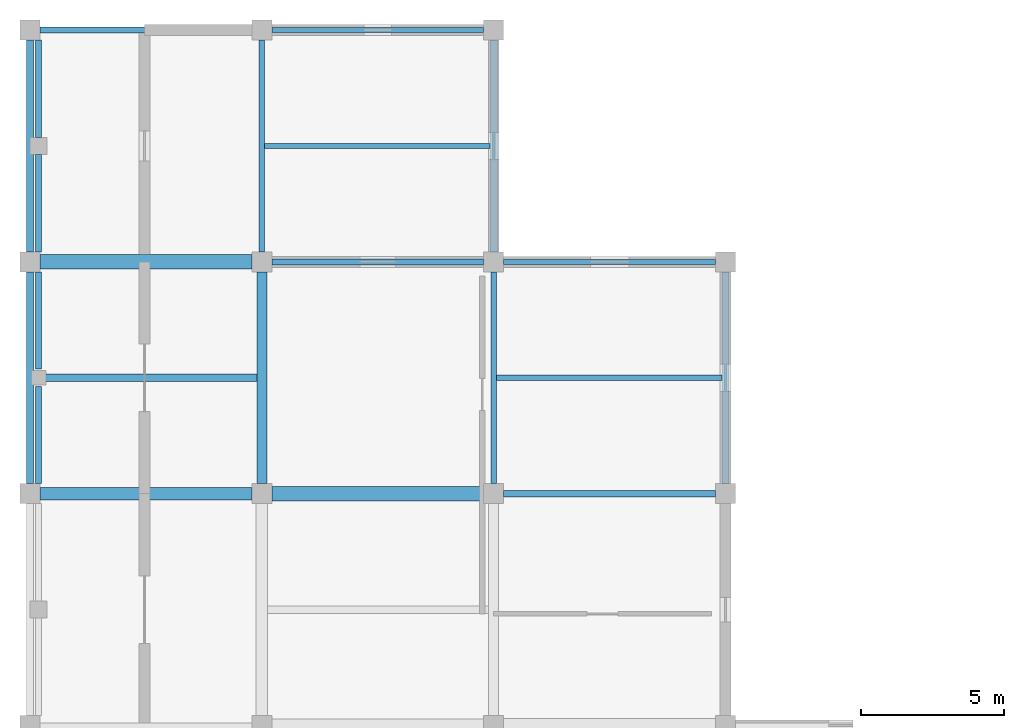
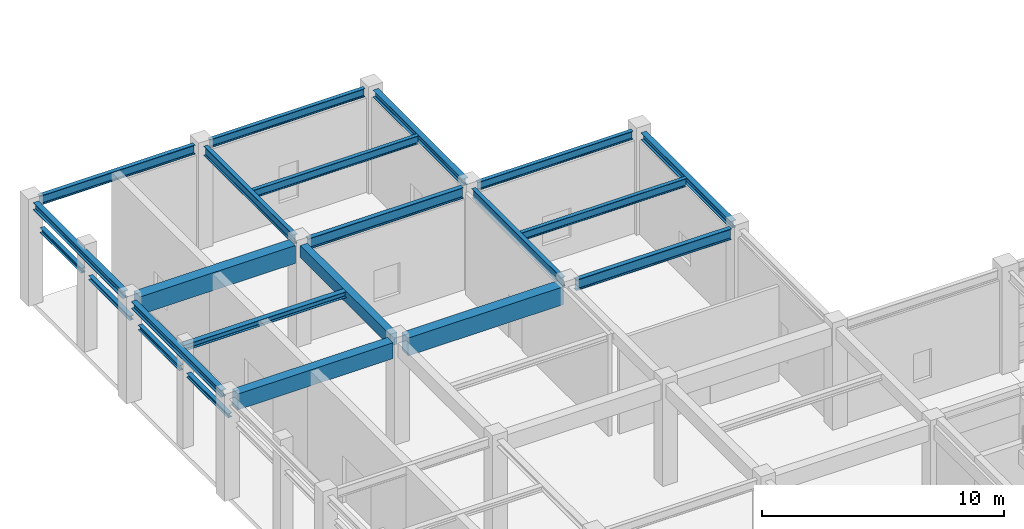
# One storey, part 20 of 52: 22 beams.
"""IFC4 building model written with IfcOpenShell, lengths in metres."""

from ifc_helpers import new_model, si_unit, direction, frame, origin, origin_2d, place, context, subcontext, project, spatial, rectangle, i_section, extrude, material, material_profile, profile_set, type_object, element, save


model = new_model("IFC4")

# Units and contexts
model_context = context("Model", 3, precision=1e-05, world=origin(), true_north=direction((0.0, 1.0)))
body_context = subcontext(model_context, "Body", "Model", "MODEL_VIEW")
ifc_project = project(units=[si_unit("LENGTHUNIT", "METRE"), si_unit("AREAUNIT", "SQUARE_METRE"), si_unit("VOLUMEUNIT", "CUBIC_METRE"), si_unit("PLANEANGLEUNIT", "RADIAN"), si_unit("MASSUNIT", "GRAM", prefix="KILO")], contexts=[model_context])

# Site, building, storey
site_placement = place(None, origin())
site = spatial("IfcSite", under=ifc_project, at=site_placement, CompositionType="ELEMENT")
building_placement = place(site_placement, origin())
building = spatial("IfcBuilding", under=site, at=building_placement, Name="Parian Resonance Hall", CompositionType="ELEMENT")
storey_placement = place(building_placement, origin())
storey = spatial("IfcBuildingStorey", under=building, at=storey_placement, Name="L00", CompositionType="ELEMENT", Elevation=0.0)

# Beams
ifc_material_1 = material(Name="Steel S355", Category="steel")
ifc_material_profile_1 = material_profile(ifc_material_1, i_section(OverallWidth=0.178955078125, OverallDepth=0.409912109375, WebThickness=0.0087890625, FlangeThickness=0.014404296875, FilletRadius=0.01513671875, at=origin_2d()), Name="W410x67")
ifc_profile_set_1 = profile_set([ifc_material_profile_1], Name="Steel S355")
beam_type_1 = type_object("IfcBeamType", Name="AL1 W410x67", PredefinedType="BEAM", material=ifc_profile_set_1)
for number, where, z_axis, x_axis, name in (
    (1, (8.197021484375, 109.35009765625, 4.965087890625), (1.0, 0.0, 0.0), (0.0, 1.0, 0.0), "JS-L00-0517"),
    (2, (16.297119140625, 101.25, 4.89501953125), (1.0, 0.0, 0.0), (0.0, 1.0, 0.0), "JS-L00-0519"),
):
    element("IfcBeam", number, at=place(storey_placement, frame(where, z_axis=z_axis, x_axis=x_axis)), inside=storey, type_object=beam_type_1, Name=name, PredefinedType="BEAM", context=body_context, shape_type="SweptSolid", body=[
        extrude(i_section(OverallWidth=0.178955078125, OverallDepth=0.409912109375, WebThickness=0.0087890625, FlangeThickness=0.014404296875, FilletRadius=0.01513671875, at=origin_2d()), origin(), (0.0, 0.0, 1.0), 7.87548828125),
    ])
ifc_material_2 = material(Name="Concrete C40/50", Category="concrete")
ifc_material_profile_2 = material_profile(ifc_material_2, rectangle(XDim=0.35009765625, YDim=0.60009765625, at=origin_2d()), Name="RC-BM-350x600")
ifc_profile_set_2 = profile_set([ifc_material_profile_2], Name="Concrete C40/50")
beam_type_2 = type_object("IfcBeamType", Name="BM-RC350x600", PredefinedType="BEAM", material=ifc_profile_set_2)
beam_1_placement = place(storey_placement, frame((8.10009765625, 97.550048828125, 4.800048828125), z_axis=(0.0, 1.0, 0.0), x_axis=(-1.0, 0.0, 0.0)))
element("IfcBeam", 3, at=beam_1_placement, inside=storey, type_object=beam_type_2, Name="GY-L00-0405", PredefinedType="BEAM", context=body_context, shape_type="SweptSolid", body=[
    extrude(rectangle(XDim=0.35009765625, YDim=0.60009765625, at=origin_2d()), origin(), (0.0, 0.0, 1.0), 7.39990234375),
])
ifc_material_3 = material(Name="Concrete C40/50", Category="concrete")
ifc_material_profile_3 = material_profile(ifc_material_3, rectangle(XDim=0.449951171875, YDim=0.800048828125, at=origin_2d()), Name="RC-BM-450x800")
ifc_profile_set_3 = profile_set([ifc_material_profile_3], Name="Concrete C40/50")
beam_type_3 = type_object("IfcBeamType", Name="BM-RC450x800", PredefinedType="USERDEFINED", material=ifc_profile_set_3)
beam_2_placement = place(storey_placement, frame((0.35009765625, 97.199951171875, 4.699951171875), z_axis=(1.0, 0.0, 0.0), x_axis=(0.0, 1.0, 0.0)))
element("IfcBeam", 4, at=beam_2_placement, inside=storey, type_object=beam_type_3, Name="GX-L00-0275", ObjectType="GIRDER", PredefinedType="USERDEFINED", context=body_context, shape_type="SweptSolid", body=[
    extrude(rectangle(XDim=0.449951171875, YDim=0.800048828125, at=origin_2d()), origin(), (0.0, 0.0, 1.0), 7.39990234375),
])
ifc_material_4 = material(Name="Concrete C40/50", Category="concrete")
ifc_material_profile_4 = material_profile(ifc_material_4, rectangle(XDim=0.5, YDim=0.89990234375, at=origin_2d()), Name="RC-BM-500x900")
ifc_profile_set_4 = profile_set([ifc_material_profile_4], Name="Concrete C40/50")
beam_type_4 = type_object("IfcBeamType", Name="BM-RC500x900", PredefinedType="USERDEFINED", material=ifc_profile_set_4)
beam_3_placement = place(storey_placement, frame((0.35009765625, 105.300048828125, 4.64990234375), z_axis=(1.0, 0.0, 0.0), x_axis=(0.0, 1.0, 0.0)))
element("IfcBeam", 5, at=beam_3_placement, inside=storey, type_object=beam_type_4, Name="GX-L00-0276", ObjectType="GIRDER", PredefinedType="USERDEFINED", context=body_context, shape_type="SweptSolid", body=[
    extrude(rectangle(XDim=0.5, YDim=0.89990234375, at=origin_2d()), origin(), (0.0, 0.0, 1.0), 7.39990234375),
])
beam_4_placement = place(storey_placement, frame((8.449951171875, 97.199951171875, 4.64990234375), z_axis=(1.0, 0.0, 0.0), x_axis=(0.0, 1.0, 0.0)))
element("IfcBeam", 6, at=beam_4_placement, inside=storey, type_object=beam_type_4, Name="GX-L00-0281", ObjectType="GIRDER", PredefinedType="USERDEFINED", context=body_context, shape_type="SweptSolid", body=[
    extrude(rectangle(XDim=0.5, YDim=0.89990234375, at=origin_2d()), origin(), (0.0, 0.0, 1.0), 7.400146484375),
])
ifc_material_5 = material(Name="Steel S355", Category="steel")
ifc_material_profile_5 = material_profile(ifc_material_5, i_section(OverallWidth=0.202880859375, OverallDepth=0.202880859375, WebThickness=0.007080078125, FlangeThickness=0.010986328125, FilletRadius=0.01025390625, at=origin_2d()), Name="W200x46")
ifc_profile_set_5 = profile_set([ifc_material_profile_5], Name="Steel S355")
beam_type_5 = type_object("IfcBeamType", Name="BM-W200x46", PredefinedType="LINTEL", material=ifc_profile_set_5)
beam_5_placement = place(storey_placement, frame((0.300048828125, 97.550048828125, 3.698486328125), z_axis=(0.0, 1.0, 0.0), x_axis=(-1.0, 0.0, 0.0)))
element("IfcBeam", 7, at=beam_5_placement, inside=storey, type_object=beam_type_5, Name="LN-W-12A", PredefinedType="LINTEL", context=body_context, shape_type="SweptSolid", body=[
    extrude(i_section(OverallWidth=0.202880859375, OverallDepth=0.202880859375, WebThickness=0.007080078125, FlangeThickness=0.010986328125, FilletRadius=0.01025390625, at=origin_2d()), origin(), (0.0, 0.0, 1.0), 3.39990234375),
])
beam_6_placement = place(storey_placement, frame((0.300048828125, 105.64990234375, 3.698486328125), z_axis=(0.0, 1.0, 0.0), x_axis=(-1.0, 0.0, 0.0)))
element("IfcBeam", 8, at=beam_6_placement, inside=storey, type_object=beam_type_5, Name="LN-W-13A", PredefinedType="LINTEL", context=body_context, shape_type="SweptSolid", body=[
    extrude(i_section(OverallWidth=0.202880859375, OverallDepth=0.202880859375, WebThickness=0.007080078125, FlangeThickness=0.010986328125, FilletRadius=0.01025390625, at=origin_2d()), origin(), (0.0, 0.0, 1.0), 3.400146484375),
])
ifc_material_6 = material(Name="Steel S355", Category="steel")
ifc_material_profile_6 = material_profile(ifc_material_6, i_section(OverallWidth=0.202880859375, OverallDepth=0.251953125, WebThickness=0.008056640625, FlangeThickness=0.013427734375, FilletRadius=0.0126953125, at=origin_2d()), Name="W250x58")
ifc_profile_set_6 = profile_set([ifc_material_profile_6], Name="Steel S355")
beam_type_6 = type_object("IfcBeamType", Name="BM-W250x58", PredefinedType="LINTEL", material=ifc_profile_set_6)
beam_7_placement = place(storey_placement, frame((0.300048828125, 101.550048828125, 3.674072265625), z_axis=(0.0, 1.0, 0.0), x_axis=(-1.0, 0.0, 0.0)))
element("IfcBeam", 9, at=beam_7_placement, inside=storey, type_object=beam_type_6, Name="LN-W-12B", PredefinedType="LINTEL", context=body_context, shape_type="SweptSolid", body=[
    extrude(i_section(OverallWidth=0.202880859375, OverallDepth=0.251953125, WebThickness=0.008056640625, FlangeThickness=0.013427734375, FilletRadius=0.0126953125, at=origin_2d()), origin(), (0.0, 0.0, 1.0), 3.39990234375),
])
beam_8_placement = place(storey_placement, frame((0.300048828125, 109.64990234375, 3.674072265625), z_axis=(0.0, 1.0, 0.0), x_axis=(-1.0, 0.0, 0.0)))
element("IfcBeam", 10, at=beam_8_placement, inside=storey, type_object=beam_type_6, Name="LN-W-13B", PredefinedType="LINTEL", context=body_context, shape_type="SweptSolid", body=[
    extrude(i_section(OverallWidth=0.202880859375, OverallDepth=0.251953125, WebThickness=0.008056640625, FlangeThickness=0.013427734375, FilletRadius=0.0126953125, at=origin_2d()), origin(), (0.0, 0.0, 1.0), 3.400146484375),
])
ifc_material_7 = material(Name="Steel S355", Category="steel")
ifc_material_profile_7 = material_profile(ifc_material_7, i_section(OverallWidth=0.25390625, OverallDepth=0.305908203125, WebThickness=0.0087890625, FlangeThickness=0.0146484375, FilletRadius=0.01513671875, at=origin_2d()), Name="W310x79")
ifc_profile_set_7 = profile_set([ifc_material_profile_7], Name="Steel S355")
beam_type_7 = type_object("IfcBeamType", Name="BM-W310x79", PredefinedType="JOIST", material=ifc_profile_set_7)
beam_9_placement = place(storey_placement, frame((0.12744140625, 101.25, 4.947021484375), z_axis=(1.0, 0.0, 0.0), x_axis=(0.0, 1.0, 0.0)))
element("IfcBeam", 11, at=beam_9_placement, inside=storey, type_object=beam_type_7, Name="JS-L00-0514", PredefinedType="JOIST", context=body_context, shape_type="SweptSolid", body=[
    extrude(i_section(OverallWidth=0.25390625, OverallDepth=0.305908203125, WebThickness=0.0087890625, FlangeThickness=0.0146484375, FilletRadius=0.01513671875, at=origin_2d()), origin(), (0.0, 0.0, 1.0), 7.797607421875),
])
ifc_material_8 = material(Name="Steel S355", Category="steel")
ifc_material_profile_8 = material_profile(ifc_material_8, i_section(OverallWidth=0.2548828125, OverallDepth=0.35693359375, WebThickness=0.010498046875, FlangeThickness=0.018310546875, FilletRadius=0.01513671875, at=origin_2d()), Name="W360x101")
ifc_profile_set_8 = profile_set([ifc_material_profile_8], Name="Steel S355")
beam_type_8 = type_object("IfcBeamType", Name="BM-W360x101", PredefinedType="SPANDREL", material=ifc_profile_set_8)
beam_10_placement = place(storey_placement, frame((0.0, 97.550048828125, 4.92138671875), z_axis=(0.0, 1.0, 0.0), x_axis=(-1.0, 0.0, 0.0)))
element("IfcBeam", 12, at=beam_10_placement, inside=storey, type_object=beam_type_8, Name="GY-L00-0400", PredefinedType="SPANDREL", context=body_context, shape_type="SweptSolid", body=[
    extrude(i_section(OverallWidth=0.2548828125, OverallDepth=0.35693359375, WebThickness=0.010498046875, FlangeThickness=0.018310546875, FilletRadius=0.01513671875, at=origin_2d()), origin(), (0.0, 0.0, 1.0), 7.39990234375),
])
for number, where, z_axis, x_axis, name in (
    (13, (0.0, 105.64990234375, 4.991455078125), (0.0, 1.0, 0.0), (-1.0, 0.0, 0.0), "GY-L00-0401"),
    (14, (16.199951171875, 105.64990234375, 4.991455078125), (0.0, 1.0, 0.0), (-1.0, 0.0, 0.0), "GY-L00-0411"),
):
    element("IfcBeam", number, at=place(storey_placement, frame(where, z_axis=z_axis, x_axis=x_axis)), inside=storey, type_object=beam_type_8, Name=name, PredefinedType="SPANDREL", context=body_context, shape_type="SweptSolid", body=[
        extrude(i_section(OverallWidth=0.2548828125, OverallDepth=0.35693359375, WebThickness=0.010498046875, FlangeThickness=0.018310546875, FilletRadius=0.01513671875, at=origin_2d()), origin(), (0.0, 0.0, 1.0), 7.400146484375),
    ])
beam_11_placement = place(storey_placement, frame((24.300048828125, 97.550048828125, 4.92138671875), z_axis=(0.0, 1.0, 0.0), x_axis=(-1.0, 0.0, 0.0)))
element("IfcBeam", 15, at=beam_11_placement, inside=storey, type_object=beam_type_8, Name="GY-L00-0415", PredefinedType="SPANDREL", context=body_context, shape_type="SweptSolid", body=[
    extrude(i_section(OverallWidth=0.2548828125, OverallDepth=0.35693359375, WebThickness=0.010498046875, FlangeThickness=0.018310546875, FilletRadius=0.01513671875, at=origin_2d()), origin(), (0.0, 0.0, 1.0), 7.39990234375),
])
ifc_material_9 = material(Name="Steel S355", Category="steel")
ifc_material_profile_9 = material_profile(ifc_material_9, i_section(OverallWidth=0.180908203125, OverallDepth=0.4169921875, WebThickness=0.010986328125, FlangeThickness=0.018310546875, FilletRadius=0.01513671875, at=origin_2d()), Name="W410x85")
ifc_profile_set_9 = profile_set([ifc_material_profile_9], Name="Steel S355")
beam_type_9 = type_object("IfcBeamType", Name="BM-W410x85", PredefinedType="SPANDREL", material=ifc_profile_set_9)
beam_12_placement = place(storey_placement, frame((8.449951171875, 113.39990234375, 4.96142578125), z_axis=(1.0, 0.0, 0.0), x_axis=(0.0, 1.0, 0.0)))
element("IfcBeam", 16, at=beam_12_placement, inside=storey, type_object=beam_type_9, Name="GX-L00-0283", PredefinedType="SPANDREL", context=body_context, shape_type="SweptSolid", body=[
    extrude(i_section(OverallWidth=0.180908203125, OverallDepth=0.4169921875, WebThickness=0.010986328125, FlangeThickness=0.018310546875, FilletRadius=0.01513671875, at=origin_2d()), origin(), (0.0, 0.0, 1.0), 7.400146484375),
])
beam_13_placement = place(storey_placement, frame((16.550048828125, 105.300048828125, 4.8916015625), z_axis=(1.0, 0.0, 0.0), x_axis=(0.0, 1.0, 0.0)))
element("IfcBeam", 17, at=beam_13_placement, inside=storey, type_object=beam_type_9, Name="GX-L00-0288", PredefinedType="SPANDREL", context=body_context, shape_type="SweptSolid", body=[
    extrude(i_section(OverallWidth=0.180908203125, OverallDepth=0.4169921875, WebThickness=0.010986328125, FlangeThickness=0.018310546875, FilletRadius=0.01513671875, at=origin_2d()), origin(), (0.0, 0.0, 1.0), 7.39990234375),
])
ifc_material_10 = material(Name="Steel S355", Category="steel")
ifc_material_profile_10 = material_profile(ifc_material_10, i_section(OverallWidth=0.194091796875, OverallDepth=0.468994140625, WebThickness=0.0126953125, FlangeThickness=0.0205078125, FilletRadius=0.01513671875, at=origin_2d()), Name="W460x106")
ifc_profile_set_10 = profile_set([ifc_material_profile_10], Name="Steel S355")
beam_type_10 = type_object("IfcBeamType", Name="BM-W460x106", PredefinedType="SPANDREL", material=ifc_profile_set_10)
beam_14_placement = place(storey_placement, frame((0.35009765625, 113.39990234375, 4.935546875), z_axis=(1.0, 0.0, 0.0), x_axis=(0.0, 1.0, 0.0)))
element("IfcBeam", 18, at=beam_14_placement, inside=storey, type_object=beam_type_10, Name="GX-L00-0277", PredefinedType="SPANDREL", context=body_context, shape_type="SweptSolid", body=[
    extrude(i_section(OverallWidth=0.194091796875, OverallDepth=0.468994140625, WebThickness=0.0126953125, FlangeThickness=0.0205078125, FilletRadius=0.01513671875, at=origin_2d()), origin(), (0.0, 0.0, 1.0), 7.39990234375),
])
beam_15_placement = place(storey_placement, frame((8.10009765625, 105.64990234375, 4.935546875), z_axis=(0.0, 1.0, 0.0), x_axis=(-1.0, 0.0, 0.0)))
element("IfcBeam", 19, at=beam_15_placement, inside=storey, type_object=beam_type_10, Name="GY-L00-0406", PredefinedType="SPANDREL", context=body_context, shape_type="SweptSolid", body=[
    extrude(i_section(OverallWidth=0.194091796875, OverallDepth=0.468994140625, WebThickness=0.0126953125, FlangeThickness=0.0205078125, FilletRadius=0.01513671875, at=origin_2d()), origin(), (0.0, 0.0, 1.0), 7.400146484375),
])
beam_16_placement = place(storey_placement, frame((16.199951171875, 97.550048828125, 4.865478515625), z_axis=(0.0, 1.0, 0.0), x_axis=(-1.0, 0.0, 0.0)))
element("IfcBeam", 20, at=beam_16_placement, inside=storey, type_object=beam_type_10, Name="GY-L00-0410", PredefinedType="SPANDREL", context=body_context, shape_type="SweptSolid", body=[
    extrude(i_section(OverallWidth=0.194091796875, OverallDepth=0.468994140625, WebThickness=0.0126953125, FlangeThickness=0.0205078125, FilletRadius=0.01513671875, at=origin_2d()), origin(), (0.0, 0.0, 1.0), 7.39990234375),
])
ifc_material_11 = material(Name="Steel S355", Category="steel")
ifc_material_profile_11 = material_profile(ifc_material_11, i_section(OverallWidth=0.2119140625, OverallDepth=0.5439453125, WebThickness=0.01318359375, FlangeThickness=0.021240234375, FilletRadius=0.017822265625, at=origin_2d()), Name="W530x123")
ifc_profile_set_11 = profile_set([ifc_material_profile_11], Name="Steel S355")
beam_type_11 = type_object("IfcBeamType", Name="BM-W530x123", PredefinedType="USERDEFINED", material=ifc_profile_set_11)
beam_17_placement = place(storey_placement, frame((8.449951171875, 105.300048828125, 4.827880859375), z_axis=(1.0, 0.0, 0.0), x_axis=(0.0, 1.0, 0.0)))
element("IfcBeam", 21, at=beam_17_placement, inside=storey, type_object=beam_type_11, Name="GX-L00-0282", ObjectType="GIRDER", PredefinedType="USERDEFINED", context=body_context, shape_type="SweptSolid", body=[
    extrude(i_section(OverallWidth=0.2119140625, OverallDepth=0.5439453125, WebThickness=0.01318359375, FlangeThickness=0.021240234375, FilletRadius=0.017822265625, at=origin_2d()), origin(), (0.0, 0.0, 1.0), 7.400146484375),
])
beam_18_placement = place(storey_placement, frame((16.550048828125, 97.199951171875, 4.827880859375), z_axis=(1.0, 0.0, 0.0), x_axis=(0.0, 1.0, 0.0)))
element("IfcBeam", 22, at=beam_18_placement, inside=storey, type_object=beam_type_11, Name="GX-L00-0287", ObjectType="GIRDER", PredefinedType="USERDEFINED", context=body_context, shape_type="SweptSolid", body=[
    extrude(i_section(OverallWidth=0.2119140625, OverallDepth=0.5439453125, WebThickness=0.01318359375, FlangeThickness=0.021240234375, FilletRadius=0.017822265625, at=origin_2d()), origin(), (0.0, 0.0, 1.0), 7.39990234375),
])

save(model, "model.ifc")
